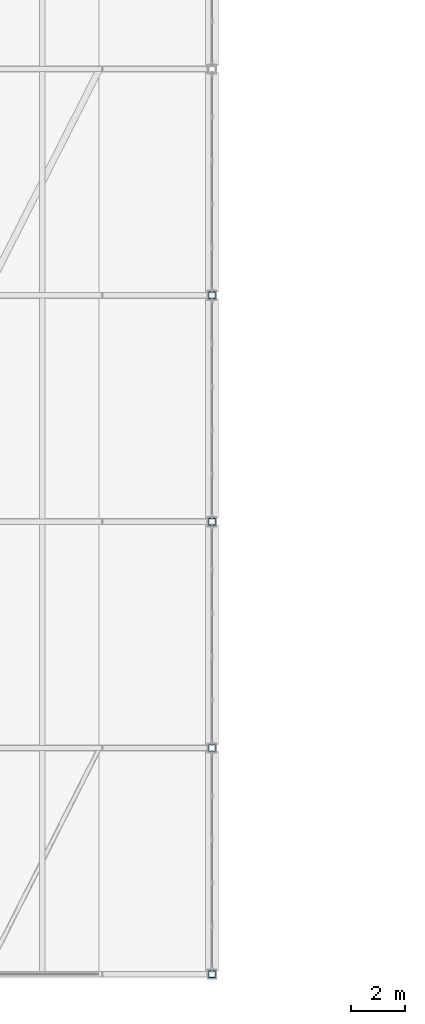
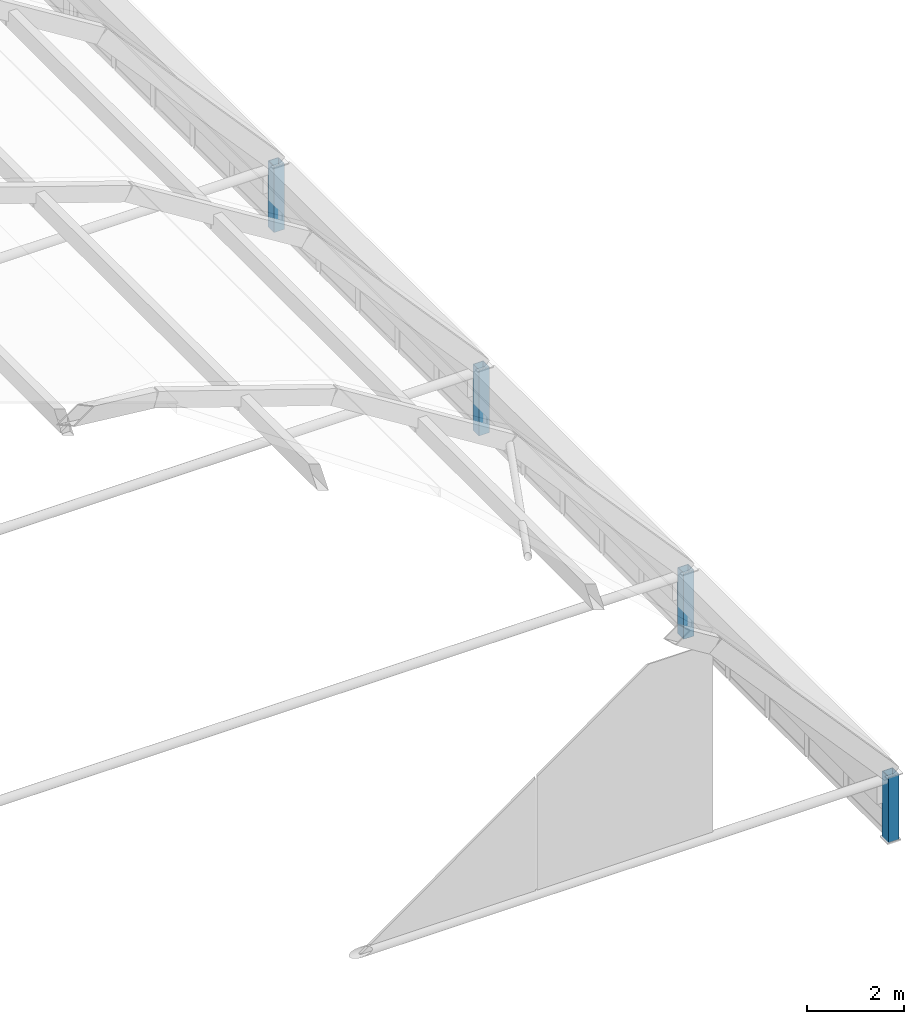
# One storey, part 2 of 114: 4 columns.
"""IFC4 building model written with IfcOpenShell, lengths in metres."""

from ifc_helpers import new_model, si_unit, direction, frame, origin, origin_2d, place, context, subcontext, project, spatial, hollow_rectangle, extrude, material, material_profile, profile_set, type_object, element, save


model = new_model("IFC4")

# Units and contexts
model_context = context("Model", 3, precision=1e-05, world=origin(), true_north=direction((0.0, 1.0)))
body_context = subcontext(model_context, "Body", "Model", "MODEL_VIEW")
ifc_project = project(units=[si_unit("LENGTHUNIT", "METRE"), si_unit("AREAUNIT", "SQUARE_METRE"), si_unit("VOLUMEUNIT", "CUBIC_METRE"), si_unit("PLANEANGLEUNIT", "RADIAN"), si_unit("MASSUNIT", "GRAM", prefix="KILO")], contexts=[model_context])

# Site, building, storey
site_placement = place(None, origin())
site = spatial("IfcSite", under=ifc_project, at=site_placement, CompositionType="ELEMENT")
building_placement = place(site_placement, origin())
building = spatial("IfcBuilding", under=site, at=building_placement, Name="Xazarin Passage Department Store", CompositionType="ELEMENT")
storey_placement = place(building_placement, frame((0.0, 0.0, 14.39990234375)))
storey = spatial("IfcBuildingStorey", under=building, at=storey_placement, Name="L03", CompositionType="ELEMENT", Elevation=14.39990234375)

# Columns
ifc_material = material(Name="Steel S355", Category="steel")
ifc_material_profile = material_profile(ifc_material, hollow_rectangle(XDim=0.25, YDim=0.25, WallThickness=0.012451171875, at=origin_2d()), Name="SHS 250x250x12.5")
ifc_profile_set = profile_set([ifc_material_profile], Name="Steel S355")
column_type = type_object("IfcColumnType", Name="STR-COL-DRM250", PredefinedType="COLUMN", material=ifc_profile_set)
for number, where, z_axis, x_axis, name in (
    (1, (101.60009765625, 0.0, 0.0), (0.0, 0.0, 1.0), (1.0, 0.0, 0.0), "V2S Gridshell Drum Column E-1"),
    (2, (101.60009765625, 8.39990234375, 0.0), (0.0, 0.0, 1.0), (1.0, 0.0, 0.0), "V2S Gridshell Drum Column E-2"),
    (3, (101.60009765625, 16.800048828125, 0.0), (0.0, 0.0, 1.0), (1.0, 0.0, 0.0), "V2S Gridshell Drum Column E-3"),
    (4, (101.60009765625, 25.199951171875, 0.0), (0.0, 0.0, 1.0), (1.0, 0.0, 0.0), "V2S Gridshell Drum Column E-4"),
):
    element("IfcColumn", number, at=place(storey_placement, frame(where, z_axis=z_axis, x_axis=x_axis)), inside=storey, type_object=column_type, Name=name, PredefinedType="COLUMN", context=body_context, shape_type="SweptSolid", body=[
        extrude(hollow_rectangle(XDim=0.25, YDim=0.25, WallThickness=0.012451171875, at=origin_2d()), origin(), (0.0, 0.0, 1.0), 1.65185546875),
    ])

save(model, "model.ifc")
